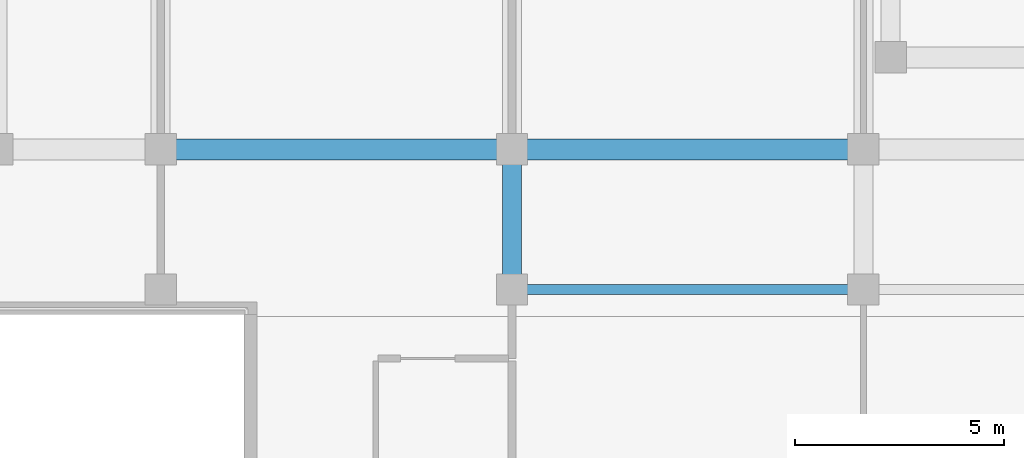
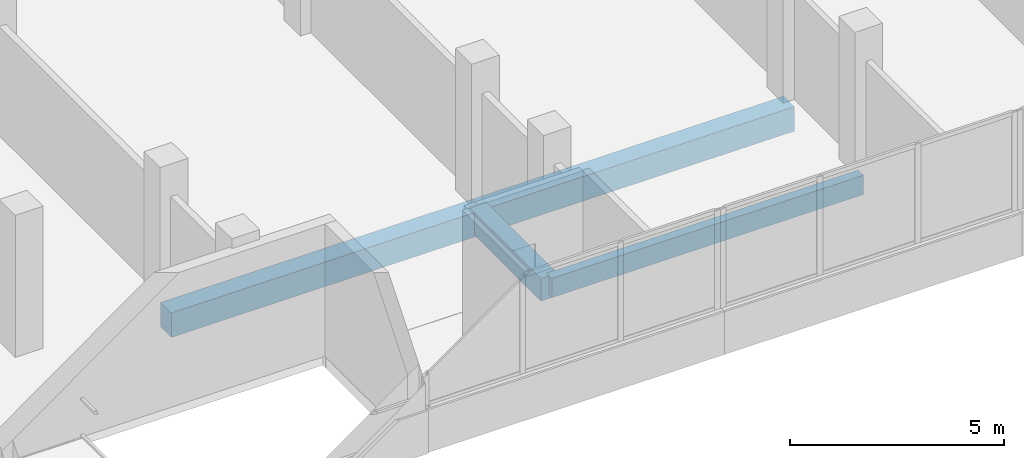
# One storey, part 24 of 101: 4 beams.
"""IFC4 building model written with IfcOpenShell, lengths in metres."""

from ifc_helpers import new_model, si_unit, direction, frame, origin, origin_2d, place, context, subcontext, project, spatial, rectangle, extrude, material, material_profile, profile_set, type_object, element, save


model = new_model("IFC4")

# Units and contexts
model_context = context("Model", 3, precision=1e-05, world=origin(), true_north=direction((0.0, 1.0)))
body_context = subcontext(model_context, "Body", "Model", "MODEL_VIEW")
ifc_project = project(units=[si_unit("LENGTHUNIT", "METRE"), si_unit("AREAUNIT", "SQUARE_METRE"), si_unit("VOLUMEUNIT", "CUBIC_METRE"), si_unit("PLANEANGLEUNIT", "RADIAN"), si_unit("MASSUNIT", "GRAM", prefix="KILO")], contexts=[model_context])

# Site, building, storey
site_placement = place(None, origin())
site = spatial("IfcSite", under=ifc_project, at=site_placement, CompositionType="ELEMENT")
building_placement = place(site_placement, origin())
building = spatial("IfcBuilding", under=site, at=building_placement, Name="Selatvlak General Hospital", CompositionType="ELEMENT")
storey_placement = place(building_placement, frame((0.0, 0.0, 19.199951171875)))
storey = spatial("IfcBuildingStorey", under=building, at=storey_placement, Name="L04", CompositionType="ELEMENT", Elevation=19.199951171875)

# Beams
ifc_material = material(Name="Concrete C40/50", Category="concrete")
ifc_material_profile_1 = material_profile(ifc_material, rectangle(XDim=0.5, YDim=0.699951171875, at=origin_2d()), Name="RC-BM 500x700")
ifc_profile_set_1 = profile_set([ifc_material_profile_1], Name="Concrete C40/50")
beam_type_1 = type_object("IfcBeamType", Name="BM-G03", PredefinedType="BEAM", material=ifc_profile_set_1)
beam_1_placement = place(storey_placement, frame((31.199951171875, 92.0, -0.655029296875), z_axis=(1.0, 0.0, 0.0), x_axis=(0.0, 1.0, 0.0)))
element("IfcBeam", 1, at=beam_1_placement, inside=storey, type_object=beam_type_1, Name="Beam BMR-L04-1556", PredefinedType="BEAM", context=body_context, shape_type="SweptSolid", body=[
    extrude(rectangle(XDim=0.5, YDim=0.699951171875, at=origin_2d()), origin(), (0.0, 0.0, 1.0), 8.400146484375),
])
beam_2_placement = place(storey_placement, frame((39.60009765625, 92.0, -0.655029296875), z_axis=(1.0, 0.0, 0.0), x_axis=(0.0, 1.0, 0.0)))
element("IfcBeam", 2, at=beam_2_placement, inside=storey, type_object=beam_type_1, Name="Beam BMR-L04-1557", PredefinedType="BEAM", context=body_context, shape_type="SweptSolid", body=[
    extrude(rectangle(XDim=0.5, YDim=0.699951171875, at=origin_2d()), origin(), (0.0, 0.0, 1.0), 8.39990234375),
])
ifc_material_profile_2 = material_profile(ifc_material, rectangle(XDim=0.449951171875, YDim=0.64990234375, at=origin_2d()), Name="RC-BM 450x650")
ifc_profile_set_2 = profile_set([ifc_material_profile_2], Name="Concrete C40/50")
beam_type_2 = type_object("IfcBeamType", Name="BM-G04", PredefinedType="BEAM", material=ifc_profile_set_2)
beam_3_placement = place(storey_placement, frame((39.60009765625, 88.64990234375, -0.6298828125), z_axis=(0.0, 1.0, 0.0), x_axis=(-1.0, 0.0, 0.0)))
element("IfcBeam", 3, at=beam_3_placement, inside=storey, type_object=beam_type_2, Name="Beam BMR-L04-1653", PredefinedType="BEAM", context=body_context, shape_type="SweptSolid", body=[
    extrude(rectangle(XDim=0.449951171875, YDim=0.64990234375, at=origin_2d()), origin(), (0.0, 0.0, 1.0), 3.35009765625),
])
ifc_material_profile_3 = material_profile(ifc_material, rectangle(XDim=0.25, YDim=0.550048828125, at=origin_2d()), Name="RC-SP 250x550")
ifc_profile_set_3 = profile_set([ifc_material_profile_3], Name="Concrete C40/50")
beam_type_3 = type_object("IfcBeamType", Name="BM-SP2", PredefinedType="SPANDREL", material=ifc_profile_set_3)
beam_4_placement = place(storey_placement, frame((39.60009765625, 88.64990234375, -0.579833984375), z_axis=(1.0, 0.0, 0.0), x_axis=(0.0, 1.0, 0.0)))
element("IfcBeam", 4, at=beam_4_placement, inside=storey, type_object=beam_type_3, Name="Beam BMR-L04-1537", PredefinedType="SPANDREL", context=body_context, shape_type="SweptSolid", body=[
    extrude(rectangle(XDim=0.25, YDim=0.550048828125, at=origin_2d()), origin(), (0.0, 0.0, 1.0), 8.39990234375),
])

save(model, "model.ifc")
